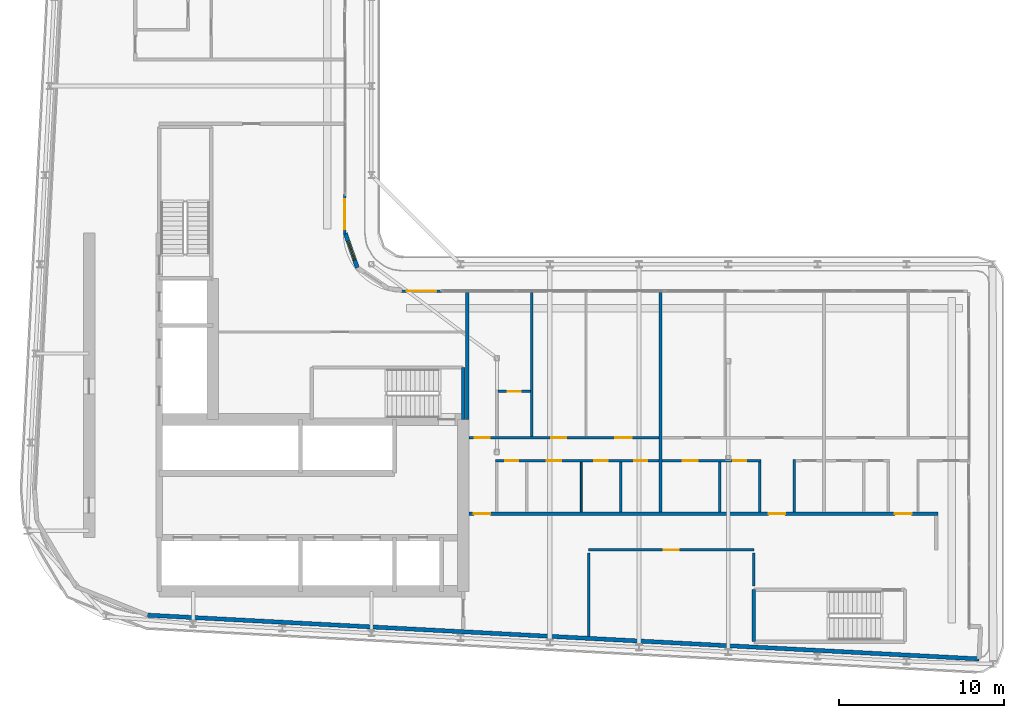
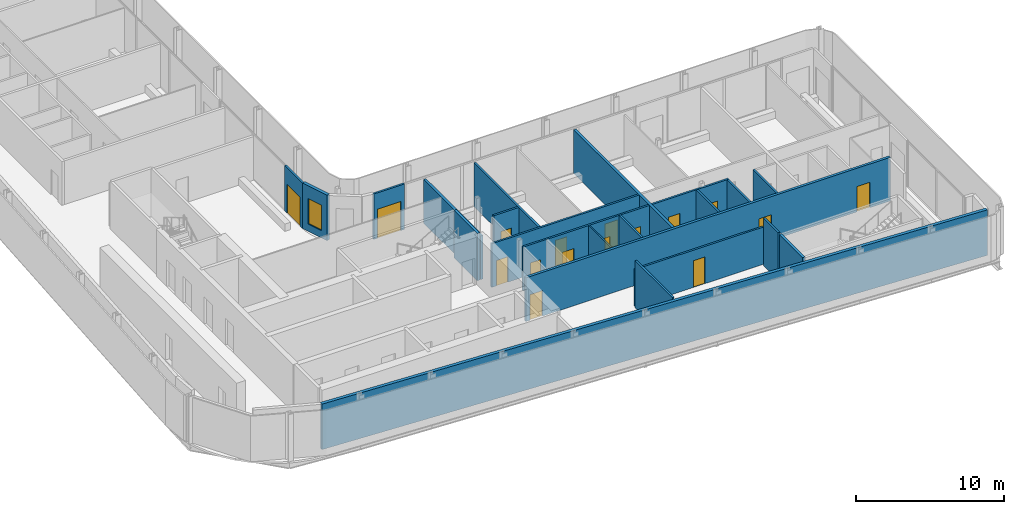
# One storey, part 11 of 21: 22 walls, 16 doors, 1 window, 17 openings.
"""IFC4 building model written with IfcOpenShell, lengths in metres."""

from ifc_helpers import new_model, si_unit, direction, frame, frame_2d, origin, place, context, subcontext, project, spatial, rectangle, extrude, source, transform, mapped, material, layer, layer_set, type_object, element, fill, save


model = new_model("IFC4")

# Units and contexts
model_context = context("Model", 3, precision=1e-05, world=origin(), true_north=direction((0.0, 1.0)))
body_context = subcontext(model_context, "Body", "Model", "MODEL_VIEW")
ifc_project = project(units=[si_unit("LENGTHUNIT", "METRE"), si_unit("AREAUNIT", "SQUARE_METRE"), si_unit("VOLUMEUNIT", "CUBIC_METRE"), si_unit("PLANEANGLEUNIT", "RADIAN"), si_unit("MASSUNIT", "GRAM", prefix="KILO")], contexts=[model_context])

# Site, building, storey
site_placement = place(None, origin())
site = spatial("IfcSite", under=ifc_project, at=site_placement, CompositionType="ELEMENT")
building_placement = place(site_placement, origin())
building = spatial("IfcBuilding", under=site, at=building_placement, Name="Kheshtan School and Residences Tower", CompositionType="ELEMENT")
storey_placement = place(building_placement, frame((0.0, 0.0, 235.699951171875)))
storey = spatial("IfcBuildingStorey", under=building, at=storey_placement, Name="L55", CompositionType="ELEMENT", Elevation=235.699951171875)

# Wall, openings, doors
ifc_material_1 = material(Name="Gypsum board on steel studs with fire boards", Category="steel")
ifc_layer_1 = layer(ifc_material_1, 0.199951171875)
ifc_layer_set_1 = layer_set([ifc_layer_1], Name="Corridor wall 200")
wall_type_1 = type_object("IfcWallType", Name="Corridor wall 200", PredefinedType="PARTITIONING", material=ifc_layer_set_1)
wall_1_placement = place(storey_placement, frame((53.4990234375, 30.5, 0.0), z_axis=(0.0, 0.0, 1.0), x_axis=(1.0, 0.0, 0.0)))
wall_1 = element("IfcWall", 1, at=wall_1_placement, inside=storey, type_object=wall_type_1, Name="Partition L55-024", PredefinedType="PARTITIONING", context=body_context, shape_type="SweptSolid", body=[
    extrude(rectangle(XDim=28.40087890625, YDim=0.199951171875, at=frame_2d((14.200439453125, 0.0))), origin(), (0.0, 0.0, 1.0), 3.60009765625),
])
opening_1_placement = place(wall_1_placement, frame((0.301025390625, 0.0, 0.0)))
opening_1 = element("IfcOpeningElement", 2, at=opening_1_placement, cuts=wall_1, Name="Opening D54-005", PredefinedType="OPENING", context=body_context, shape_type="SweptSolid", body=[
    extrude(rectangle(XDim=1.0, YDim=2.10009765625, at=frame_2d((0.5, 1.050048828125))), frame((0.0, 0.10986328125, 0.0), z_axis=(0.0, -1.0, 0.0), x_axis=(1.0, 0.0, 0.0)), (0.0, 0.0, 1.0), 0.219970703125),
])
opening_2_placement = place(wall_1_placement, frame((18.15087890625, 0.0, 0.0)))
opening_2 = element("IfcOpeningElement", 3, at=opening_2_placement, cuts=wall_1, Name="Opening D54-012", PredefinedType="OPENING", context=body_context, shape_type="SweptSolid", body=[
    extrude(rectangle(XDim=1.0, YDim=2.10009765625, at=frame_2d((0.5, 1.050048828125))), frame((0.0, 0.10986328125, 0.0), z_axis=(0.0, -1.0, 0.0), x_axis=(1.0, 0.0, 0.0)), (0.0, 0.0, 1.0), 0.219970703125),
])
opening_3_placement = place(wall_1_placement, frame((25.801025390625, 0.0, 0.0)))
opening_3 = element("IfcOpeningElement", 4, at=opening_3_placement, cuts=wall_1, Name="Opening D54-018", PredefinedType="OPENING", context=body_context, shape_type="SweptSolid", body=[
    extrude(rectangle(XDim=1.0, YDim=2.10009765625, at=frame_2d((0.5, 1.050048828125))), frame((0.0, 0.10986328125, 0.0), z_axis=(0.0, -1.0, 0.0), x_axis=(1.0, 0.0, 0.0)), (0.0, 0.0, 1.0), 0.219970703125),
])
ifc_material_2 = material(Name="Steel-framed fire-resisting door leaf", Category="steel")
door_type_1 = type_object("IfcDoorType", Name="Fire door FD30S 1000 x 2100", OperationType="SINGLE_SWING_LEFT", PredefinedType="DOOR", material=ifc_material_2)
shared_shape_1 = source(origin(), body_context, "Body", "SweptSolid", [
    extrude(rectangle(XDim=1.0, YDim=2.10009765625, at=frame_2d((0.5, 1.050048828125))), frame((0.0, 0.02490234375, 0.0), z_axis=(0.0, -1.0, 0.0), x_axis=(1.0, 0.0, 0.0)), (0.0, 0.0, 1.0), 0.050048828125),
])
door_1_placement = place(opening_1_placement, origin())
door_1 = element("IfcDoor", 5, at=door_1_placement, inside=storey, type_object=door_type_1, Name="Door D54-005", OperationType="SINGLE_SWING_LEFT", OverallHeight=2.10009765625, OverallWidth=1.0, PredefinedType="DOOR", context=body_context, shape_type="MappedRepresentation", body=[
    mapped(shared_shape_1, transform((0.0, 0.0, 0.0), x_axis=(1.0, 0.0, 0.0), y_axis=(0.0, 1.0, 0.0), z_axis=(0.0, 0.0, 1.0), scale=1.0)),
])
fill(opening_1, door_1)
door_2_placement = place(opening_2_placement, origin())
door_2 = element("IfcDoor", 6, at=door_2_placement, inside=storey, type_object=door_type_1, Name="Door D54-012", OperationType="SINGLE_SWING_RIGHT", OverallHeight=2.10009765625, OverallWidth=1.0, PredefinedType="DOOR", context=body_context, shape_type="MappedRepresentation", body=[
    mapped(shared_shape_1, transform((0.0, 0.0, 0.0), x_axis=(1.0, 0.0, 0.0), y_axis=(0.0, 1.0, 0.0), z_axis=(0.0, 0.0, 1.0), scale=1.0)),
])
fill(opening_2, door_2)
door_3_placement = place(opening_3_placement, origin())
door_3 = element("IfcDoor", 7, at=door_3_placement, inside=storey, type_object=door_type_1, Name="Door D54-018", OperationType="SINGLE_SWING_RIGHT", OverallHeight=2.10009765625, OverallWidth=1.0, PredefinedType="DOOR", context=body_context, shape_type="MappedRepresentation", body=[
    mapped(shared_shape_1, transform((0.0, 0.0, 0.0), x_axis=(1.0, 0.0, 0.0), y_axis=(0.0, 1.0, 0.0), z_axis=(0.0, 0.0, 1.0), scale=1.0)),
])
fill(opening_3, door_3)

# Wall, opening, window
ifc_material_3 = material(Name="Concrete C40/50 with ceramic cladding and mineral wool insulation", Category="concrete")
ifc_layer_2 = layer(ifc_material_3, 0.25)
ifc_layer_set_2 = layer_set([ifc_layer_2], Name="External wall 250 ceramic clad")
wall_type_2 = type_object("IfcWallType", Name="External wall 250 ceramic clad", PredefinedType="SOLIDWALL", material=ifc_layer_set_2)
wall_2_placement = place(storey_placement, frame((46.01806640625, 47.470947265625, 0.0), z_axis=(0.0, 0.0, 1.0), x_axis=(0.328791208903, -0.944402637093, 0.0)))
wall_2 = element("IfcWall", 8, at=wall_2_placement, inside=storey, type_object=wall_type_2, Name="External wall L55 5", PredefinedType="SOLIDWALL", context=body_context, shape_type="SweptSolid", body=[
    extrude(rectangle(XDim=2.20458984375, YDim=0.25, at=frame_2d((1.102294921875, 0.0))), origin(), (0.0, 0.0, 1.0), 3.75),
])
opening_4_placement = place(wall_2_placement, frame((0.5029296875, 0.0, 0.60009765625)))
opening_4 = element("IfcOpeningElement", 9, at=opening_4_placement, cuts=wall_2, Name="Opening WN-E", PredefinedType="OPENING", context=body_context, shape_type="SweptSolid", body=[
    extrude(rectangle(XDim=1.199951171875, YDim=2.10009765625, at=frame_2d((0.60009765625, 1.050048828125))), frame((0.0, 0.135009765625, 0.0), z_axis=(0.0, -1.0, 0.0), x_axis=(1.0, 0.0, 0.0)), (0.0, 0.0, 1.0), 0.27001953125),
])
ifc_material_4 = material(Name="Clear low-e glass in thermally broken aluminium frame", Category="aluminium")
window_type = type_object("IfcWindowType", Name="Window WN-E", PartitioningType="SINGLE_PANEL", PredefinedType="WINDOW", material=ifc_material_4)
shared_shape_2 = source(origin(), body_context, "Body", "SweptSolid", [
    extrude(rectangle(XDim=1.199951171875, YDim=2.10009765625, at=frame_2d((0.60009765625, 1.050048828125))), frame((0.0, 0.030029296875, 0.0), z_axis=(0.0, -1.0, 0.0), x_axis=(1.0, 0.0, 0.0)), (0.0, 0.0, 1.0), 0.06005859375),
])
window_placement = place(opening_4_placement, origin())
window = element("IfcWindow", 10, at=window_placement, inside=storey, type_object=window_type, Name="Window L55 5", OverallHeight=2.10009765625, OverallWidth=1.199951171875, PartitioningType="SINGLE_PANEL", PredefinedType="WINDOW", context=body_context, shape_type="MappedRepresentation", body=[
    mapped(shared_shape_2, transform((0.0, 0.0, 0.0), x_axis=(1.0, 0.0, 0.0), y_axis=(0.0, 1.0, 0.0), z_axis=(0.0, 0.0, 1.0), scale=1.0)),
])
fill(opening_4, window)

# Wall
wall_3_placement = place(storey_placement, frame((84.385986328125, 21.702880859375, 0.0), z_axis=(0.0, 0.0, 1.0), x_axis=(-0.998617508267, 0.05256493302, 0.0)))
element("IfcWall", 11, at=wall_3_placement, inside=storey, type_object=wall_type_2, Name="External wall L55 12", PredefinedType="SOLIDWALL", context=body_context, shape_type="SweptSolid", body=[
    extrude(rectangle(XDim=50.41650390625, YDim=0.25, at=frame_2d((25.208251953125, 0.0))), origin(), (0.0, 0.0, 1.0), 3.75),
])

# Wall, opening, door
ifc_material_5 = material(Name="Aluminium frame wall with insulated infill", Category="aluminium")
ifc_layer_3 = layer(ifc_material_5, 0.14990234375)
ifc_layer_set_3 = layer_set([ifc_layer_3], Name="Glazing frame wall 150")
wall_type_3 = type_object("IfcWallType", Name="Glazing frame wall 150", PredefinedType="SOLIDWALL", material=ifc_layer_set_3)
wall_4_placement = place(storey_placement, frame((45.97509765625, 49.830078125, 0.0), z_axis=(0.0, 0.0, 1.0), x_axis=(0.0, -1.0, 0.0)))
wall_4 = element("IfcWall", 12, at=wall_4_placement, inside=storey, type_object=wall_type_3, Name="Balcony door wall L55 4.4", PredefinedType="SOLIDWALL", context=body_context, shape_type="SweptSolid", body=[
    extrude(rectangle(XDim=2.400146484375, YDim=0.14990234375, at=frame_2d((1.2001953125, 0.0))), origin(), (0.0, 0.0, 1.0), 3.75),
])
opening_5_placement = place(wall_4_placement, frame((0.300048828125, 0.0, 0.0)))
opening_5 = element("IfcOpeningElement", 13, at=opening_5_placement, cuts=wall_4, Name="Opening BD", PredefinedType="OPENING", context=body_context, shape_type="SweptSolid", body=[
    extrude(rectangle(XDim=1.800048828125, YDim=2.39990234375, at=frame_2d((0.89990234375, 1.199951171875))), frame((0.0, 0.0849609375, 0.0), z_axis=(0.0, -1.0, 0.0), x_axis=(1.0, 0.0, 0.0)), (0.0, 0.0, 1.0), 0.169921875),
])
door_type_2 = type_object("IfcDoorType", Name="Balcony sliding door", OperationType="SLIDING_TO_LEFT", PredefinedType="DOOR", material=ifc_material_4)
shared_shape_3 = source(origin(), body_context, "Body", "SweptSolid", [
    extrude(rectangle(XDim=1.800048828125, YDim=2.39990234375, at=frame_2d((0.89990234375, 1.199951171875))), frame((0.0, 0.02490234375, 0.0), z_axis=(0.0, -1.0, 0.0), x_axis=(1.0, 0.0, 0.0)), (0.0, 0.0, 1.0), 0.050048828125),
])
door_4_placement = place(opening_5_placement, origin())
door_4 = element("IfcDoor", 14, at=door_4_placement, inside=storey, type_object=door_type_2, Name="Balcony door L55 4.4", OperationType="SLIDING_TO_LEFT", OverallHeight=2.39990234375, OverallWidth=1.800048828125, PredefinedType="DOOR", context=body_context, shape_type="MappedRepresentation", body=[
    mapped(shared_shape_3, transform((0.0, 0.0, 0.0), x_axis=(1.0, 0.0, 0.0), y_axis=(0.0, 1.0, 0.0), z_axis=(0.0, 0.0, 1.0), scale=1.0)),
])
fill(opening_5, door_4)

wall_5_placement = place(storey_placement, frame((49.429931640625, 43.97509765625, 0.0), z_axis=(0.0, 0.0, 1.0), x_axis=(1.0, 0.0, 0.0)))
wall_5 = element("IfcWall", 15, at=wall_5_placement, inside=storey, type_object=wall_type_3, Name="Balcony door wall L55 8.1", PredefinedType="SOLIDWALL", context=body_context, shape_type="SweptSolid", body=[
    extrude(rectangle(XDim=2.400146484375, YDim=0.14990234375, at=frame_2d((1.2001953125, 0.0))), origin(), (0.0, 0.0, 1.0), 3.75),
])
opening_6_placement = place(wall_5_placement, frame((0.300048828125, 0.0, 0.0)))
opening_6 = element("IfcOpeningElement", 16, at=opening_6_placement, cuts=wall_5, Name="Opening BD", PredefinedType="OPENING", context=body_context, shape_type="SweptSolid", body=[
    extrude(rectangle(XDim=1.800048828125, YDim=2.39990234375, at=frame_2d((0.89990234375, 1.199951171875))), frame((0.0, 0.0849609375, 0.0), z_axis=(0.0, -1.0, 0.0), x_axis=(1.0, 0.0, 0.0)), (0.0, 0.0, 1.0), 0.169921875),
])
door_5_placement = place(opening_6_placement, origin())
door_5 = element("IfcDoor", 17, at=door_5_placement, inside=storey, type_object=door_type_2, Name="Balcony door L55 8.1", OperationType="SLIDING_TO_LEFT", OverallHeight=2.39990234375, OverallWidth=1.800048828125, PredefinedType="DOOR", context=body_context, shape_type="MappedRepresentation", body=[
    mapped(shared_shape_3, transform((0.0, 0.0, 0.0), x_axis=(1.0, 0.0, 0.0), y_axis=(0.0, 1.0, 0.0), z_axis=(0.0, 0.0, 1.0), scale=1.0)),
])
fill(opening_6, door_5)

# Wall
ifc_material_6 = material(Name="Gypsum board on steel studs", Category="steel")
ifc_layer_4 = layer(ifc_material_6, 0.10009765625)
ifc_layer_set_4 = layer_set([ifc_layer_4], Name="Gypsum partition 100")
wall_type_4 = type_object("IfcWallType", Name="Gypsum partition 100", PredefinedType="PARTITIONING", material=ifc_layer_set_4)
wall_6_placement = place(storey_placement, frame((60.300048828125, 30.60009765625, 0.0), z_axis=(0.0, 0.0, 1.0), x_axis=(0.0, 1.0, 0.0)))
element("IfcWall", 18, at=wall_6_placement, inside=storey, type_object=wall_type_4, Name="Partition L55-032", PredefinedType="PARTITIONING", context=body_context, shape_type="SweptSolid", body=[
    extrude(rectangle(XDim=3.02490234375, YDim=0.10009765625, at=frame_2d((1.512451171875, 0.0))), origin(), (0.0, 0.0, 1.0), 3.60009765625),
])

# Wall, opening, door
ifc_material_7 = material(Name="Fire-board shaft wall system")
ifc_layer_5 = layer(ifc_material_7, 0.14990234375)
ifc_layer_set_5 = layer_set([ifc_layer_5], Name="Service room wall 150")
wall_type_5 = type_object("IfcWallType", Name="Service room wall 150", PredefinedType="PARTITIONING", material=ifc_layer_set_5)
wall_7_placement = place(storey_placement, frame((60.75, 28.300048828125, 0.0), z_axis=(0.0, 0.0, 1.0), x_axis=(1.0, 0.0, 0.0)))
wall_7 = element("IfcWall", 19, at=wall_7_placement, inside=storey, type_object=wall_type_5, Name="Service room wall", PredefinedType="PARTITIONING", context=body_context, shape_type="SweptSolid", body=[
    extrude(rectangle(XDim=10.0, YDim=0.14990234375, at=frame_2d((5.0, 0.0))), origin(), (0.0, 0.0, 1.0), 3.072021484375),
])
opening_7_placement = place(wall_7_placement, frame((4.550048828125, 0.0, 0.0)))
opening_7 = element("IfcOpeningElement", 20, at=opening_7_placement, cuts=wall_7, Name="Opening SR90", PredefinedType="OPENING", context=body_context, shape_type="SweptSolid", body=[
    extrude(rectangle(XDim=0.89990234375, YDim=2.199951171875, at=frame_2d((0.449951171875, 1.10009765625))), frame((0.0, 0.0849609375, 0.0), z_axis=(0.0, -1.0, 0.0), x_axis=(1.0, 0.0, 0.0)), (0.0, 0.0, 1.0), 0.169921875),
])
ifc_material_8 = material(Name="Steel door leaf, galvanised", Category="steel")
door_type_3 = type_object("IfcDoorType", Name="Service room door 900 steel 90 min", OperationType="SINGLE_SWING_LEFT", PredefinedType="DOOR", material=ifc_material_8)
shared_shape_4 = source(origin(), body_context, "Body", "SweptSolid", [
    extrude(rectangle(XDim=0.89990234375, YDim=2.199951171875, at=frame_2d((0.449951171875, 1.10009765625))), frame((0.0, 0.02490234375, 0.0), z_axis=(0.0, -1.0, 0.0), x_axis=(1.0, 0.0, 0.0)), (0.0, 0.0, 1.0), 0.050048828125),
])
door_6_placement = place(opening_7_placement, origin())
door_6 = element("IfcDoor", 21, at=door_6_placement, inside=storey, type_object=door_type_3, Name="Service room door", OperationType="SINGLE_SWING_LEFT", OverallHeight=2.199951171875, OverallWidth=0.89990234375, PredefinedType="DOOR", context=body_context, shape_type="MappedRepresentation", body=[
    mapped(shared_shape_4, transform((0.0, 0.0, 0.0), x_axis=(1.0, 0.0, 0.0), y_axis=(0.0, 1.0, 0.0), z_axis=(0.0, 0.0, 1.0), scale=1.0)),
])
fill(opening_7, door_6)

# Walls
wall_8_placement = place(storey_placement, frame((60.75, 23.074951171875, 0.0), z_axis=(0.0, 0.0, 1.0), x_axis=(0.0, 1.0, 0.0)))
element("IfcWall", 22, at=wall_8_placement, inside=storey, type_object=wall_type_5, Name="Service room wall", PredefinedType="PARTITIONING", context=body_context, shape_type="SweptSolid", body=[
    extrude(rectangle(XDim=5.030029296875, YDim=0.14990234375, at=frame_2d((2.51513671875, 0.0))), origin(), (0.0, 0.0, 1.0), 3.900146484375),
])
wall_9_placement = place(storey_placement, frame((70.75, 26.1201171875, 0.0), z_axis=(0.0, 0.0, 1.0), x_axis=(0.0, 1.0, 0.0)))
element("IfcWall", 23, at=wall_9_placement, inside=storey, type_object=wall_type_5, Name="Service room wall", PredefinedType="PARTITIONING", context=body_context, shape_type="SweptSolid", body=[
    extrude(rectangle(XDim=1.98486328125, YDim=0.14990234375, at=frame_2d((0.992431640625, 0.0))), origin(), (0.0, 0.0, 1.0), 3.900146484375),
])
ifc_material_9 = material(Name="Concrete C40/50", Category="concrete")
ifc_layer_6 = layer(ifc_material_9, 0.199951171875)
ifc_layer_set_6 = layer_set([ifc_layer_6], Name="Stair enclosure wall 200 Concrete C40/50")
wall_type_6 = type_object("IfcWallType", Name="Stair enclosure wall 200 Concrete C40/50", PredefinedType="SHEAR", material=ifc_layer_set_6)
wall_10_placement = place(storey_placement, frame((53.14990234375, 36.199951171875, 0.0), z_axis=(0.0, 0.0, 1.0), x_axis=(0.0, 1.0, 0.0)))
element("IfcWall", 24, at=wall_10_placement, inside=storey, type_object=wall_type_6, Name="Stair enclosure wall ST1", PredefinedType="SHEAR", context=body_context, shape_type="SweptSolid", body=[
    extrude(rectangle(XDim=3.150146484375, YDim=0.199951171875, at=frame_2d((1.5751953125, 0.0))), origin(), (0.0, 0.0, 1.0), 3.900146484375),
])
wall_11_placement = place(storey_placement, frame((70.75, 22.75, 0.0), z_axis=(0.0, 0.0, 1.0), x_axis=(0.0, 1.0, 0.0)))
element("IfcWall", 25, at=wall_11_placement, inside=storey, type_object=wall_type_6, Name="Stair enclosure wall ST5", PredefinedType="SHEAR", context=body_context, shape_type="SweptSolid", body=[
    extrude(rectangle(XDim=3.14990234375, YDim=0.199951171875, at=frame_2d((1.574951171875, 0.0))), origin(), (0.0, 0.0, 1.0), 3.900146484375),
])
ifc_material_10 = material(Name="Twin gypsum board on steel studs with mineral wool", Category="steel")
ifc_layer_7 = layer(ifc_material_10, 0.199951171875)
ifc_layer_set_7 = layer_set([ifc_layer_7], Name="Unit demising wall 200")
wall_type_7 = type_object("IfcWallType", Name="Unit demising wall 200", PredefinedType="PARTITIONING", material=ifc_layer_set_7)
wall_12_placement = place(storey_placement, frame((53.39990234375, 36.198974609375, 0.0), z_axis=(0.0, 0.0, 1.0), x_axis=(0.0, 1.0, 0.0)))
element("IfcWall", 26, at=wall_12_placement, inside=storey, type_object=wall_type_7, Name="Partition L55-023", PredefinedType="PARTITIONING", context=body_context, shape_type="SweptSolid", body=[
    extrude(rectangle(XDim=7.700927734375, YDim=0.199951171875, at=frame_2d((3.8505859375, 0.0))), origin(), (0.0, 0.0, 1.0), 3.60009765625),
])
wall_13_placement = place(storey_placement, frame((65.10009765625, 30.60009765625, 0.0), z_axis=(0.0, 0.0, 1.0), x_axis=(0.0, 1.0, 0.0)))
element("IfcWall", 27, at=wall_13_placement, inside=storey, type_object=wall_type_7, Name="Partition L55-035", PredefinedType="PARTITIONING", context=body_context, shape_type="SweptSolid", body=[
    extrude(rectangle(XDim=13.2998046875, YDim=0.199951171875, at=frame_2d((6.64990234375, 0.0))), origin(), (0.0, 0.0, 1.0), 3.60009765625),
])

# Wall, openings, doors
ifc_material_11 = material(Name="Moisture-resistant gypsum board on steel studs", Category="steel")
ifc_layer_8 = layer(ifc_material_11, 0.14990234375)
ifc_layer_set_8 = layer_set([ifc_layer_8], Name="Wet-room partition 150")
wall_type_8 = type_object("IfcWallType", Name="Wet-room partition 150", PredefinedType="PARTITIONING", material=ifc_layer_set_8)
wall_14_placement = place(storey_placement, frame((53.4990234375, 35.10009765625, 0.0), z_axis=(0.0, 0.0, 1.0), x_axis=(1.0, 0.0, 0.0)))
wall_14 = element("IfcWall", 28, at=wall_14_placement, inside=storey, type_object=wall_type_8, Name="Partition L55-025", PredefinedType="PARTITIONING", context=body_context, shape_type="SweptSolid", body=[
    extrude(rectangle(XDim=11.5009765625, YDim=0.14990234375, at=frame_2d((5.75048828125, 0.0))), origin(), (0.0, 0.0, 1.0), 3.60009765625),
])
opening_8_placement = place(wall_14_placement, frame((5.0009765625, 0.0, 0.0)))
opening_8 = element("IfcOpeningElement", 29, at=opening_8_placement, cuts=wall_14, Name="Opening D54-002", PredefinedType="OPENING", context=body_context, shape_type="SweptSolid", body=[
    extrude(rectangle(XDim=0.89990234375, YDim=2.10009765625, at=frame_2d((0.449951171875, 1.050048828125))), frame((0.0, 0.0849609375, 0.0), z_axis=(0.0, -1.0, 0.0), x_axis=(1.0, 0.0, 0.0)), (0.0, 0.0, 1.0), 0.169921875),
])
opening_9_placement = place(wall_14_placement, frame((8.85107421875, 0.0, 0.0)))
opening_9 = element("IfcOpeningElement", 30, at=opening_9_placement, cuts=wall_14, Name="Opening D54-007", PredefinedType="OPENING", context=body_context, shape_type="SweptSolid", body=[
    extrude(rectangle(XDim=1.0, YDim=2.10009765625, at=frame_2d((0.5, 1.050048828125))), frame((0.0, 0.0849609375, 0.0), z_axis=(0.0, -1.0, 0.0), x_axis=(1.0, 0.0, 0.0)), (0.0, 0.0, 1.0), 0.169921875),
])
opening_10_placement = place(wall_14_placement, frame((0.35107421875, 0.0, 0.0)))
opening_10 = element("IfcOpeningElement", 31, at=opening_10_placement, cuts=wall_14, Name="Opening D54-008", PredefinedType="OPENING", context=body_context, shape_type="SweptSolid", body=[
    extrude(rectangle(XDim=0.89990234375, YDim=2.10009765625, at=frame_2d((0.449951171875, 1.050048828125))), frame((0.0, 0.0849609375, 0.0), z_axis=(0.0, -1.0, 0.0), x_axis=(1.0, 0.0, 0.0)), (0.0, 0.0, 1.0), 0.169921875),
])
ifc_material_12 = material(Name="Veneered timber door leaf", Category="wood")
door_type_4 = type_object("IfcDoorType", Name="Door 1000 x 2100", OperationType="SINGLE_SWING_LEFT", PredefinedType="DOOR", material=ifc_material_12)
shared_shape_5 = source(origin(), body_context, "Body", "SweptSolid", [
    extrude(rectangle(XDim=1.0, YDim=2.10009765625, at=frame_2d((0.5, 1.050048828125))), frame((0.0, 0.02490234375, 0.0), z_axis=(0.0, -1.0, 0.0), x_axis=(1.0, 0.0, 0.0)), (0.0, 0.0, 1.0), 0.050048828125),
])
door_7_placement = place(opening_9_placement, origin())
door_7 = element("IfcDoor", 32, at=door_7_placement, inside=storey, type_object=door_type_4, Name="Door D54-007", OperationType="SINGLE_SWING_RIGHT", OverallHeight=2.10009765625, OverallWidth=1.0, PredefinedType="DOOR", context=body_context, shape_type="MappedRepresentation", body=[
    mapped(shared_shape_5, transform((0.0, 0.0, 0.0), x_axis=(1.0, 0.0, 0.0), y_axis=(0.0, 1.0, 0.0), z_axis=(0.0, 0.0, 1.0), scale=1.0)),
])
fill(opening_9, door_7)
door_type_5 = type_object("IfcDoorType", Name="Door 900 x 2100", OperationType="SINGLE_SWING_LEFT", PredefinedType="DOOR", material=ifc_material_12)
shared_shape_6 = source(origin(), body_context, "Body", "SweptSolid", [
    extrude(rectangle(XDim=0.89990234375, YDim=2.10009765625, at=frame_2d((0.449951171875, 1.050048828125))), frame((0.0, 0.02490234375, 0.0), z_axis=(0.0, -1.0, 0.0), x_axis=(1.0, 0.0, 0.0)), (0.0, 0.0, 1.0), 0.050048828125),
])
door_8_placement = place(opening_8_placement, origin())
door_8 = element("IfcDoor", 33, at=door_8_placement, inside=storey, type_object=door_type_5, Name="Door D54-002", OperationType="SINGLE_SWING_LEFT", OverallHeight=2.10009765625, OverallWidth=0.89990234375, PredefinedType="DOOR", context=body_context, shape_type="MappedRepresentation", body=[
    mapped(shared_shape_6, transform((0.0, 0.0, 0.0), x_axis=(1.0, 0.0, 0.0), y_axis=(0.0, 1.0, 0.0), z_axis=(0.0, 0.0, 1.0), scale=1.0)),
])
fill(opening_8, door_8)
door_9_placement = place(opening_10_placement, origin())
door_9 = element("IfcDoor", 34, at=door_9_placement, inside=storey, type_object=door_type_5, Name="Door D54-008", OperationType="SINGLE_SWING_RIGHT", OverallHeight=2.10009765625, OverallWidth=0.89990234375, PredefinedType="DOOR", context=body_context, shape_type="MappedRepresentation", body=[
    mapped(shared_shape_6, transform((0.0, 0.0, 0.0), x_axis=(1.0, 0.0, 0.0), y_axis=(0.0, 1.0, 0.0), z_axis=(0.0, 0.0, 1.0), scale=1.0)),
])
fill(opening_10, door_9)

wall_15_placement = place(storey_placement, frame((55.125, 33.699951171875, 0.0), z_axis=(0.0, 0.0, 1.0), x_axis=(1.0, 0.0, 0.0)))
wall_15 = element("IfcWall", 35, at=wall_15_placement, inside=storey, type_object=wall_type_8, Name="Partition L55-026", PredefinedType="PARTITIONING", context=body_context, shape_type="SweptSolid", body=[
    extrude(rectangle(XDim=9.875, YDim=0.14990234375, at=frame_2d((4.9375, 0.0))), origin(), (0.0, 0.0, 1.0), 3.60009765625),
])
opening_11_placement = place(wall_15_placement, frame((8.375, 0.0, 0.0)))
opening_11 = element("IfcOpeningElement", 36, at=opening_11_placement, cuts=wall_15, Name="Opening D54-001", PredefinedType="OPENING", context=body_context, shape_type="SweptSolid", body=[
    extrude(rectangle(XDim=0.800048828125, YDim=2.10009765625, at=frame_2d((0.39990234375, 1.050048828125))), frame((0.0, 0.0849609375, 0.0), z_axis=(0.0, -1.0, 0.0), x_axis=(1.0, 0.0, 0.0)), (0.0, 0.0, 1.0), 0.169921875),
])
opening_12_placement = place(wall_15_placement, frame((5.97509765625, 0.0, 0.0)))
opening_12 = element("IfcOpeningElement", 37, at=opening_12_placement, cuts=wall_15, Name="Opening D54-003", PredefinedType="OPENING", context=body_context, shape_type="SweptSolid", body=[
    extrude(rectangle(XDim=0.800048828125, YDim=2.10009765625, at=frame_2d((0.39990234375, 1.050048828125))), frame((0.0, 0.0849609375, 0.0), z_axis=(0.0, -1.0, 0.0), x_axis=(1.0, 0.0, 0.0)), (0.0, 0.0, 1.0), 0.169921875),
])
opening_13_placement = place(wall_15_placement, frame((3.074951171875, 0.0, 0.0)))
opening_13 = element("IfcOpeningElement", 38, at=opening_13_placement, cuts=wall_15, Name="Opening D54-006", PredefinedType="OPENING", context=body_context, shape_type="SweptSolid", body=[
    extrude(rectangle(XDim=0.89990234375, YDim=2.10009765625, at=frame_2d((0.449951171875, 1.050048828125))), frame((0.0, 0.0849609375, 0.0), z_axis=(0.0, -1.0, 0.0), x_axis=(1.0, 0.0, 0.0)), (0.0, 0.0, 1.0), 0.169921875),
])
opening_14_placement = place(wall_15_placement, frame((0.574951171875, 0.0, 0.0)))
opening_14 = element("IfcOpeningElement", 39, at=opening_14_placement, cuts=wall_15, Name="Opening D54-009", PredefinedType="OPENING", context=body_context, shape_type="SweptSolid", body=[
    extrude(rectangle(XDim=0.800048828125, YDim=2.10009765625, at=frame_2d((0.39990234375, 1.050048828125))), frame((0.0, 0.0849609375, 0.0), z_axis=(0.0, -1.0, 0.0), x_axis=(1.0, 0.0, 0.0)), (0.0, 0.0, 1.0), 0.169921875),
])
door_type_6 = type_object("IfcDoorType", Name="Door 800 x 2100", OperationType="SINGLE_SWING_LEFT", PredefinedType="DOOR", material=ifc_material_12)
shared_shape_7 = source(origin(), body_context, "Body", "SweptSolid", [
    extrude(rectangle(XDim=0.800048828125, YDim=2.10009765625, at=frame_2d((0.39990234375, 1.050048828125))), frame((0.0, 0.02490234375, 0.0), z_axis=(0.0, -1.0, 0.0), x_axis=(1.0, 0.0, 0.0)), (0.0, 0.0, 1.0), 0.050048828125),
])
door_10_placement = place(opening_11_placement, origin())
door_10 = element("IfcDoor", 40, at=door_10_placement, inside=storey, type_object=door_type_6, Name="Door D54-001", OperationType="SINGLE_SWING_LEFT", OverallHeight=2.10009765625, OverallWidth=0.800048828125, PredefinedType="DOOR", context=body_context, shape_type="MappedRepresentation", body=[
    mapped(shared_shape_7, transform((0.0, 0.0, 0.0), x_axis=(1.0, 0.0, 0.0), y_axis=(0.0, 1.0, 0.0), z_axis=(0.0, 0.0, 1.0), scale=1.0)),
])
fill(opening_11, door_10)
door_11_placement = place(opening_12_placement, origin())
door_11 = element("IfcDoor", 41, at=door_11_placement, inside=storey, type_object=door_type_6, Name="Door D54-003", OperationType="SINGLE_SWING_LEFT", OverallHeight=2.10009765625, OverallWidth=0.800048828125, PredefinedType="DOOR", context=body_context, shape_type="MappedRepresentation", body=[
    mapped(shared_shape_7, transform((0.0, 0.0, 0.0), x_axis=(1.0, 0.0, 0.0), y_axis=(0.0, 1.0, 0.0), z_axis=(0.0, 0.0, 1.0), scale=1.0)),
])
fill(opening_12, door_11)
door_12_placement = place(opening_14_placement, origin())
door_12 = element("IfcDoor", 42, at=door_12_placement, inside=storey, type_object=door_type_6, Name="Door D54-009", OperationType="SINGLE_SWING_LEFT", OverallHeight=2.10009765625, OverallWidth=0.800048828125, PredefinedType="DOOR", context=body_context, shape_type="MappedRepresentation", body=[
    mapped(shared_shape_7, transform((0.0, 0.0, 0.0), x_axis=(1.0, 0.0, 0.0), y_axis=(0.0, 1.0, 0.0), z_axis=(0.0, 0.0, 1.0), scale=1.0)),
])
fill(opening_14, door_12)
door_13_placement = place(opening_13_placement, origin())
door_13 = element("IfcDoor", 43, at=door_13_placement, inside=storey, type_object=door_type_5, Name="Door D54-006", OperationType="SINGLE_SWING_RIGHT", OverallHeight=2.10009765625, OverallWidth=0.89990234375, PredefinedType="DOOR", context=body_context, shape_type="MappedRepresentation", body=[
    mapped(shared_shape_6, transform((0.0, 0.0, 0.0), x_axis=(1.0, 0.0, 0.0), y_axis=(0.0, 1.0, 0.0), z_axis=(0.0, 0.0, 1.0), scale=1.0)),
])
fill(opening_13, door_13)

# Wall, opening, door
wall_16_placement = place(storey_placement, frame((55.27490234375, 37.89990234375, 0.0), z_axis=(0.0, 0.0, 1.0), x_axis=(1.0, 0.0, 0.0)))
wall_16 = element("IfcWall", 44, at=wall_16_placement, inside=storey, type_object=wall_type_8, Name="Partition L55-029", PredefinedType="PARTITIONING", context=body_context, shape_type="SweptSolid", body=[
    extrude(rectangle(XDim=1.9501953125, YDim=0.14990234375, at=frame_2d((0.97509765625, 0.0))), origin(), (0.0, 0.0, 1.0), 3.60009765625),
])
opening_15_placement = place(wall_16_placement, frame((0.574951171875, 0.0, 0.0)))
opening_15 = element("IfcOpeningElement", 45, at=opening_15_placement, cuts=wall_16, Name="Opening D54-004", PredefinedType="OPENING", context=body_context, shape_type="SweptSolid", body=[
    extrude(rectangle(XDim=0.800048828125, YDim=2.10009765625, at=frame_2d((0.39990234375, 1.050048828125))), frame((0.0, 0.0849609375, 0.0), z_axis=(0.0, -1.0, 0.0), x_axis=(1.0, 0.0, 0.0)), (0.0, 0.0, 1.0), 0.169921875),
])
door_14_placement = place(opening_15_placement, origin())
door_14 = element("IfcDoor", 46, at=door_14_placement, inside=storey, type_object=door_type_6, Name="Door D54-004", OperationType="SINGLE_SWING_LEFT", OverallHeight=2.10009765625, OverallWidth=0.800048828125, PredefinedType="DOOR", context=body_context, shape_type="MappedRepresentation", body=[
    mapped(shared_shape_7, transform((0.0, 0.0, 0.0), x_axis=(1.0, 0.0, 0.0), y_axis=(0.0, 1.0, 0.0), z_axis=(0.0, 0.0, 1.0), scale=1.0)),
])
fill(opening_15, door_14)

# Walls
wall_17_placement = place(storey_placement, frame((57.300048828125, 35.175048828125, 0.0), z_axis=(0.0, 0.0, 1.0), x_axis=(0.0, 1.0, 0.0)))
element("IfcWall", 47, at=wall_17_placement, inside=storey, type_object=wall_type_8, Name="Partition L55-031", PredefinedType="PARTITIONING", context=body_context, shape_type="SweptSolid", body=[
    extrude(rectangle(XDim=8.724853515625, YDim=0.14990234375, at=frame_2d((4.3623046875, 0.0))), origin(), (0.0, 0.0, 1.0), 3.60009765625),
])
wall_18_placement = place(storey_placement, frame((62.699951171875, 30.60009765625, 0.0), z_axis=(0.0, 0.0, 1.0), x_axis=(0.0, 1.0, 0.0)))
element("IfcWall", 48, at=wall_18_placement, inside=storey, type_object=wall_type_8, Name="Partition L55-034", PredefinedType="PARTITIONING", context=body_context, shape_type="SweptSolid", body=[
    extrude(rectangle(XDim=3.02490234375, YDim=0.14990234375, at=frame_2d((1.512451171875, 0.0))), origin(), (0.0, 0.0, 1.0), 3.60009765625),
])

# Wall, openings, doors
wall_19_placement = place(storey_placement, frame((65.199951171875, 33.699951171875, 0.0), z_axis=(0.0, 0.0, 1.0), x_axis=(1.0, 0.0, 0.0)))
wall_19 = element("IfcWall", 49, at=wall_19_placement, inside=storey, type_object=wall_type_8, Name="Partition L55-036", PredefinedType="PARTITIONING", context=body_context, shape_type="SweptSolid", body=[
    extrude(rectangle(XDim=5.97509765625, YDim=0.14990234375, at=frame_2d((2.987548828125, 0.0))), origin(), (0.0, 0.0, 1.0), 3.60009765625),
])
opening_16_placement = place(wall_19_placement, frame((4.300048828125, 0.0, 0.0)))
opening_16 = element("IfcOpeningElement", 50, at=opening_16_placement, cuts=wall_19, Name="Opening D54-010", PredefinedType="OPENING", context=body_context, shape_type="SweptSolid", body=[
    extrude(rectangle(XDim=0.800048828125, YDim=2.10009765625, at=frame_2d((0.39990234375, 1.050048828125))), frame((0.0, 0.0849609375, 0.0), z_axis=(0.0, -1.0, 0.0), x_axis=(1.0, 0.0, 0.0)), (0.0, 0.0, 1.0), 0.169921875),
])
opening_17_placement = place(wall_19_placement, frame((1.25, 0.0, 0.0)))
opening_17 = element("IfcOpeningElement", 51, at=opening_17_placement, cuts=wall_19, Name="Opening D54-013", PredefinedType="OPENING", context=body_context, shape_type="SweptSolid", body=[
    extrude(rectangle(XDim=0.89990234375, YDim=2.10009765625, at=frame_2d((0.449951171875, 1.050048828125))), frame((0.0, 0.0849609375, 0.0), z_axis=(0.0, -1.0, 0.0), x_axis=(1.0, 0.0, 0.0)), (0.0, 0.0, 1.0), 0.169921875),
])
door_15_placement = place(opening_16_placement, origin())
door_15 = element("IfcDoor", 52, at=door_15_placement, inside=storey, type_object=door_type_6, Name="Door D54-010", OperationType="SINGLE_SWING_RIGHT", OverallHeight=2.10009765625, OverallWidth=0.800048828125, PredefinedType="DOOR", context=body_context, shape_type="MappedRepresentation", body=[
    mapped(shared_shape_7, transform((0.0, 0.0, 0.0), x_axis=(1.0, 0.0, 0.0), y_axis=(0.0, 1.0, 0.0), z_axis=(0.0, 0.0, 1.0), scale=1.0)),
])
fill(opening_16, door_15)
door_16_placement = place(opening_17_placement, origin())
door_16 = element("IfcDoor", 53, at=door_16_placement, inside=storey, type_object=door_type_5, Name="Door D54-013", OperationType="SINGLE_SWING_LEFT", OverallHeight=2.10009765625, OverallWidth=0.89990234375, PredefinedType="DOOR", context=body_context, shape_type="MappedRepresentation", body=[
    mapped(shared_shape_6, transform((0.0, 0.0, 0.0), x_axis=(1.0, 0.0, 0.0), y_axis=(0.0, 1.0, 0.0), z_axis=(0.0, 0.0, 1.0), scale=1.0)),
])
fill(opening_17, door_16)

# Walls
for number, where, z_axis, x_axis, name in (
    (54, (68.699951171875, 30.60009765625, 0.0), (0.0, 0.0, 1.0), (0.0, 1.0, 0.0), "Partition L55-038"),
    (55, (71.10009765625, 30.60009765625, 0.0), (0.0, 0.0, 1.0), (0.0, 1.0, 0.0), "Partition L55-040"),
):
    element("IfcWall", number, at=place(storey_placement, frame(where, z_axis=z_axis, x_axis=x_axis)), inside=storey, type_object=wall_type_8, Name=name, PredefinedType="PARTITIONING", context=body_context, shape_type="SweptSolid", body=[
        extrude(rectangle(XDim=3.02490234375, YDim=0.14990234375, at=frame_2d((1.512451171875, 0.0))), origin(), (0.0, 0.0, 1.0), 3.60009765625),
    ])
wall_20_placement = place(storey_placement, frame((73.199951171875, 30.60009765625, 0.0), z_axis=(0.0, 0.0, 1.0), x_axis=(0.0, 1.0, 0.0)))
element("IfcWall", 56, at=wall_20_placement, inside=storey, type_object=wall_type_8, Name="Partition L55-041", PredefinedType="PARTITIONING", context=body_context, shape_type="SweptSolid", body=[
    extrude(rectangle(XDim=3.1748046875, YDim=0.14990234375, at=frame_2d((1.58740234375, 0.0))), origin(), (0.0, 0.0, 1.0), 3.60009765625),
])

save(model, "model.ifc")
